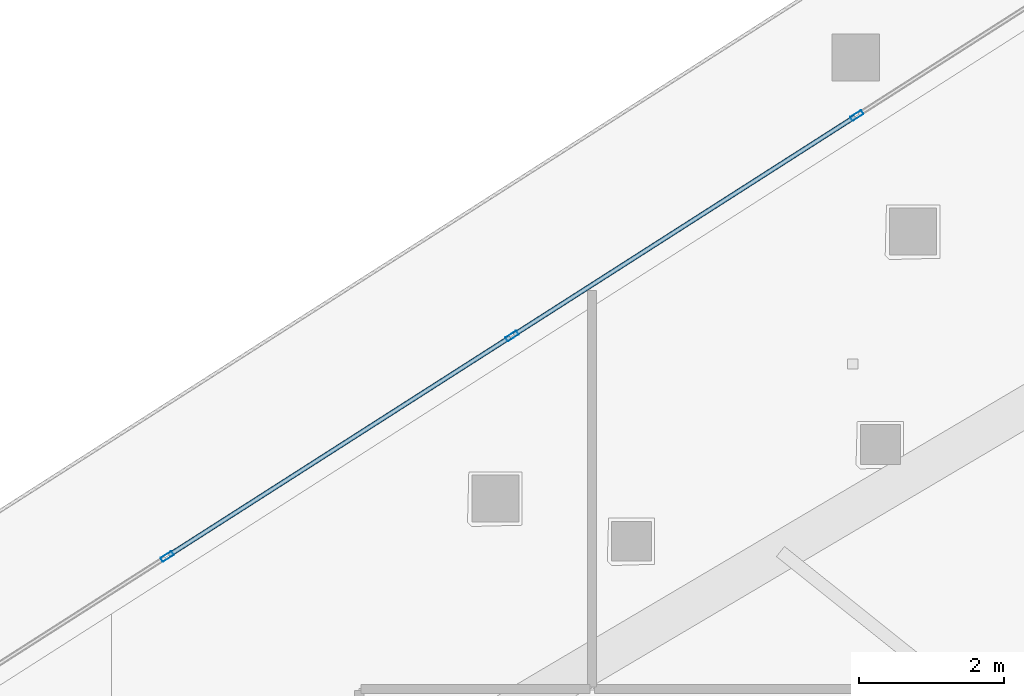
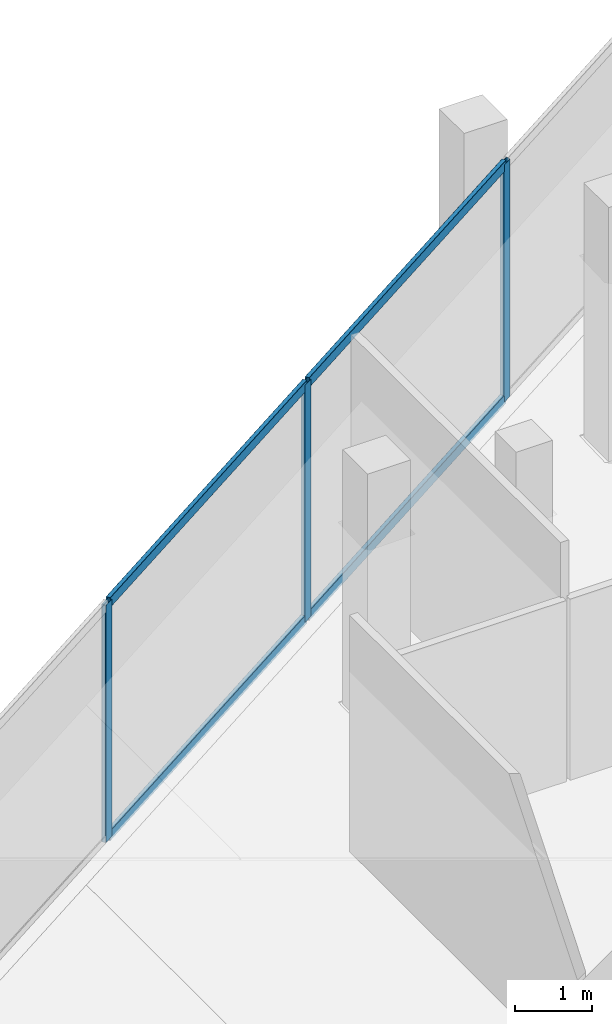
# One storey, part 17 of 36: 7 members, 1 element without a shape of its own.
"""IFC4 building model written with IfcOpenShell, lengths in metres."""

import ifcopenshell
import ifcopenshell.guid

model = None  # the IFC model being written
_history = None  # IfcOwnerHistory: only IFC2X3 demands one
_inside = {}  # id of a spatial element -> (the spatial element, [elements in it])
_under = {}  # id of a project, library or spatial element -> (it, [spatial elements below it])
_declared = {}  # id of a project -> (the project, [libraries it declares])
_typed = {}  # id of a type object -> (the type object, [elements of that type])
_made_of = {}  # id of a material, layer set ... -> (it, [elements and type objects made of it])


def new_model(schema):
    """Start an empty IFC model of exactly this schema.

    Asked for "IFC4X3", IfcOpenShell would pick the latest addendum, in which some entities
    have other attributes; the version numbers below select the first issue.
    IFC2X3 requires an IfcOwnerHistory on every rooted entity: one is made here for all.
    """
    global model, _history
    if schema == "IFC4X3":
        model = ifcopenshell.file(schema_version=(4, 3, 0, 0))
    else:
        model = ifcopenshell.file(schema=schema)
    _inside.clear()
    _under.clear()
    _declared.clear()
    _typed.clear()
    _made_of.clear()
    _history = None
    if model.schema == "IFC2X3":
        org = make("IfcOrganization", Name="unknown")
        user = make(
            "IfcPersonAndOrganization",
            ThePerson=make("IfcPerson", FamilyName="unknown"),
            TheOrganization=org,
        )
        app = make(
            "IfcApplication",
            ApplicationDeveloper=org,
            Version="unknown",
            ApplicationFullName="unknown",
            ApplicationIdentifier="unknown",
        )
        _history = make(
            "IfcOwnerHistory",
            OwningUser=user,
            OwningApplication=app,
            ChangeAction="ADDED",
            CreationDate=0,
        )
    return model


def make(cls, **values):
    """One entity of the class cls with the attributes given. An attribute that is None is left unset."""
    return model.create_entity(
        cls, **{name: value for name, value in values.items() if value is not None}
    )


def rooted(cls, **values):
    """An entity with a GlobalId (a new one), such as an element, a storey or a relation."""
    return make(cls, GlobalId=ifcopenshell.guid.new(), OwnerHistory=_history, **values)


def si_unit(unit_type, name, prefix=None):
    """IfcSIUnit, for example si_unit("LENGTHUNIT", "METRE", prefix="MILLI")."""
    return make("IfcSIUnit", UnitType=unit_type, Prefix=prefix, Name=name)


def assignment(units):
    """IfcUnitAssignment: the units of a project."""
    return None if units is None else make("IfcUnitAssignment", Units=units)


def point(xyz):
    """IfcCartesianPoint."""
    return None if xyz is None else make("IfcCartesianPoint", Coordinates=xyz)


def direction(xyz):
    """IfcDirection."""
    return None if xyz is None else make("IfcDirection", DirectionRatios=xyz)


def frame(location, z_axis=None, x_axis=None):
    """IfcAxis2Placement3D, a coordinate frame: its origin and axes. An axis left out is left unset."""
    return make(
        "IfcAxis2Placement3D",
        Location=point(location),
        Axis=direction(z_axis),
        RefDirection=direction(x_axis),
    )


def frame_2d(location, x_axis=None):
    """IfcAxis2Placement2D, a coordinate frame in the plane: its origin and x axis."""
    return make(
        "IfcAxis2Placement2D", Location=point(location), RefDirection=direction(x_axis)
    )


def origin():
    """The frame at (0, 0, 0) with its axes left unset."""
    return frame((0.0, 0.0, 0.0))


def origin_2d():
    """The frame at (0, 0) in the plane with its x axis left unset."""
    return frame_2d((0.0, 0.0))


def place(relative_to, where):
    """IfcLocalPlacement: puts the frame where relative to a parent placement (None: the world)."""
    return make(
        "IfcLocalPlacement", PlacementRelTo=relative_to, RelativePlacement=where
    )


def context(
    kind, dimensions, precision=None, world=None, true_north=None, identifier=None
):
    """IfcGeometricRepresentationContext, for example the 3D "Model" context."""
    return make(
        "IfcGeometricRepresentationContext",
        ContextIdentifier=identifier,
        ContextType=kind,
        CoordinateSpaceDimension=dimensions,
        Precision=precision,
        WorldCoordinateSystem=world,
        TrueNorth=true_north,
    )


def subcontext(parent, identifier, kind, view, scale=None):
    """IfcGeometricRepresentationSubContext, for example "Body" below "Model"."""
    return make(
        "IfcGeometricRepresentationSubContext",
        ContextIdentifier=identifier,
        ContextType=kind,
        ParentContext=parent,
        TargetScale=scale,
        TargetView=view,
    )


def project(units=None, contexts=None):
    """IfcProject with its units and contexts."""
    return rooted(
        "IfcProject",
        Name="project",
        RepresentationContexts=contexts,
        UnitsInContext=assignment(units),
    )


def spatial(cls, under=None, at=None, **own):
    """A site, building, storey or space (cls), placed at a placement, below another one or the project."""
    s = rooted(cls, ObjectPlacement=at, **own)
    if under is not None:
        _under.setdefault(under.id(), (under, []))[1].append(s)
    return s


def profile(cls, at=None, kind="AREA", **sizes):
    """A parametric profile (cls). Its sizes go by their IFC names, for example OverallWidth=200.0."""
    return make(cls, ProfileType=kind, Position=at, **sizes)


def hollow_rectangle(**sizes):
    """IfcRectangleHollowProfileDef."""
    return profile("IfcRectangleHollowProfileDef", **sizes)


def extrude(swept, where, along, depth):
    """IfcExtrudedAreaSolid: the profile swept, set in the frame where, extruded along a direction by depth."""
    return make(
        "IfcExtrudedAreaSolid",
        SweptArea=swept,
        Position=where,
        ExtrudedDirection=direction(along),
        Depth=depth,
    )


def shape(context_of_items, identifier, shape_type, items):
    """IfcShapeRepresentation: the items that make up one representation, for example the "Body"."""
    return make(
        "IfcShapeRepresentation",
        ContextOfItems=context_of_items,
        RepresentationIdentifier=identifier,
        RepresentationType=shape_type,
        Items=items,
    )


def material(Name=None, Category=None):
    """IfcMaterial."""
    return make("IfcMaterial", Name=Name, Category=Category)


def layer(
    of_material, thickness, ventilated=None, Name=None, Category=None, Priority=None
):
    """IfcMaterialLayer: one layer of a wall or slab, of a material (None: an air gap)."""
    return make(
        "IfcMaterialLayer",
        Material=of_material,
        LayerThickness=thickness,
        IsVentilated=ventilated,
        Name=Name,
        Category=Category,
        Priority=Priority,
    )


def layer_set(layers, Name=None):
    """IfcMaterialLayerSet."""
    return make("IfcMaterialLayerSet", MaterialLayers=layers, LayerSetName=Name)


def material_profile(
    of_material, cross_section, Name=None, Category=None, Priority=None
):
    """IfcMaterialProfile: a cross section and its material."""
    return make(
        "IfcMaterialProfile",
        Name=Name,
        Material=of_material,
        Profile=cross_section,
        Priority=Priority,
        Category=Category,
    )


def profile_set(profiles, Name=None, composite=None):
    """IfcMaterialProfileSet."""
    return make(
        "IfcMaterialProfileSet",
        Name=Name,
        MaterialProfiles=profiles,
        CompositeProfile=composite,
    )


def made_of(thing, what):
    """Note that an element or type object is made of a material, layer set ...; save() writes the relation."""
    if what is not None:
        _made_of.setdefault(what.id(), (what, []))[1].append(thing)
    return thing


def type_object(cls, material=None, **own):
    """A type object (cls), such as IfcWallType, which elements share."""
    return made_of(rooted(cls, **own), material)


def element(
    cls,
    number,
    at=None,
    inside=None,
    cuts=None,
    type_object=None,
    material=None,
    context=None,
    identifier="Body",
    shape_type=None,
    held_by="IfcProductDefinitionShape",
    body=None,
    shapes=None,
    **own,
):
    """One element of the class cls, such as IfcWall. Its Tag is "e" and its number.

    at: its placement. inside: the storey or other place that contains it. cuts: it is an
    opening in that element (IfcRelVoidsElement). A single representation is given by context,
    identifier, shape_type and body (its items); several are given by shapes. held_by: the class
    of the entity that holds the representations. save() writes the other relations.
    """
    e = rooted(cls, Tag="e%d" % number, ObjectPlacement=at, **own)
    if body is not None:
        shapes = [shape(context, identifier, shape_type, body)]
    if shapes is not None:
        e.Representation = make(held_by, Representations=shapes)
    if inside is not None:
        _inside.setdefault(inside.id(), (inside, []))[1].append(e)
    if cuts is not None:
        rooted(
            "IfcRelVoidsElement", RelatingBuildingElement=cuts, RelatedOpeningElement=e
        )
    if type_object is not None:
        _typed.setdefault(type_object.id(), (type_object, []))[1].append(e)
    return made_of(e, material)


def aggregate(whole, parts):
    """IfcRelAggregates: a whole, such as a stair, and the parts it consists of."""
    return rooted("IfcRelAggregates", RelatingObject=whole, RelatedObjects=parts)


def save(model, path):
    """Write the relations noted so far, then the file.

    IfcRelAggregates (storeys below a building ...), IfcRelContainedInSpatialStructure (elements
    in a storey), IfcRelDefinesByType, IfcRelAssociatesMaterial and IfcRelDeclares: one each for
    every whole, place, type object, material and project.
    """
    for whole, parts in _under.values():
        aggregate(whole, parts)
    for where, things in _inside.values():
        rooted(
            "IfcRelContainedInSpatialStructure",
            RelatedElements=things,
            RelatingStructure=where,
        )
    for kind, things in _typed.values():
        rooted("IfcRelDefinesByType", RelatedObjects=things, RelatingType=kind)
    for what, things in _made_of.values():
        rooted("IfcRelAssociatesMaterial", RelatedObjects=things, RelatingMaterial=what)
    for by, libraries in _declared.values():
        rooted("IfcRelDeclares", RelatingContext=by, RelatedDefinitions=libraries)
    model.write(path)


model = new_model("IFC4")

# Units and contexts
model_context = context("Model", 3, precision=1e-05, world=origin(), true_north=direction((0.0, 1.0)))
body_context = subcontext(model_context, "Body", "Model", "MODEL_VIEW")
ifc_project = project(units=[si_unit("LENGTHUNIT", "METRE"), si_unit("AREAUNIT", "SQUARE_METRE"), si_unit("VOLUMEUNIT", "CUBIC_METRE"), si_unit("PLANEANGLEUNIT", "RADIAN"), si_unit("MASSUNIT", "GRAM", prefix="KILO")], contexts=[model_context])

# Site, building, storey
site_placement = place(None, origin())
site = spatial("IfcSite", under=ifc_project, at=site_placement, CompositionType="ELEMENT")
building_placement = place(site_placement, origin())
building = spatial("IfcBuilding", under=site, at=building_placement, Name="Qorvath Tower", CompositionType="ELEMENT")
storey_placement = place(building_placement, frame((0.0, 0.0, 192.89990234375)))
storey = spatial("IfcBuildingStorey", under=building, at=storey_placement, Name="L44", CompositionType="ELEMENT", Elevation=192.89990234375)

# Curtain wall, members
ifc_material_1 = material(Name="Anodised aluminium and triple low-E glass", Category="aluminium")
ifc_layer = layer(ifc_material_1, 0.179931640625)
ifc_layer_set = layer_set([ifc_layer], Name="CW-SYS-3")
curtain_wall_type = type_object("IfcCurtainWallType", Name="CW-SYS-3", PredefinedType="NOTDEFINED", material=ifc_layer_set)
curtain_wall_placement = place(storey_placement, origin())
curtain_wall = element("IfcCurtainWall", 1, at=curtain_wall_placement, inside=storey, type_object=curtain_wall_type, Name="Curtain Wall CW-3 CW-T-L44-16.1", PredefinedType="NOTDEFINED")
ifc_material_2 = material(Name="Anodised aluminium 6063-T6", Category="aluminium")
ifc_material_profile_1 = material_profile(ifc_material_2, hollow_rectangle(XDim=0.06494140625, YDim=0.179931640625, WallThickness=0.00341796875, InnerFilletRadius=0.00341796875, OuterFilletRadius=0.007080078125, at=origin_2d()), Name="CWM 180x65")
ifc_profile_set_1 = profile_set([ifc_material_profile_1], Name="Anodised aluminium 6063-T6")
member_type_1 = type_object("IfcMemberType", Name="CWM-180", PredefinedType="MULLION", material=ifc_profile_set_1)
member_1_placement = place(storey_placement, frame((-31.000244140625, 18.65869140625, 0.0), z_axis=(0.0, 0.0, 1.0), x_axis=(0.538533623725, -0.842604020948, 0.0)))
member_1 = element("IfcMember", 2, at=member_1_placement, type_object=member_type_1, Name="CW-3 mullion 4", PredefinedType="MULLION", context=body_context, shape_type="SweptSolid", body=[
    extrude(hollow_rectangle(XDim=0.06494140625, YDim=0.179931640625, WallThickness=0.00341796875, InnerFilletRadius=0.00341796875, OuterFilletRadius=0.007080078125, at=origin_2d()), origin(), (0.0, 0.0, 1.0), 3.780029296875),
])
member_2_placement = place(storey_placement, frame((-35.752685546875, 15.62109375, 0.0), z_axis=(0.0, 0.0, 1.0), x_axis=(0.538533623725, -0.842604020948, 0.0)))
member_2 = element("IfcMember", 3, at=member_2_placement, type_object=member_type_1, Name="CW-3 mullion 5", PredefinedType="MULLION", context=body_context, shape_type="SweptSolid", body=[
    extrude(hollow_rectangle(XDim=0.06494140625, YDim=0.179931640625, WallThickness=0.00341796875, InnerFilletRadius=0.00341796875, OuterFilletRadius=0.007080078125, at=origin_2d()), origin(), (0.0, 0.0, 1.0), 3.780029296875),
])
member_3_placement = place(storey_placement, frame((-40.50537109375, 12.583740234375, 0.0), z_axis=(0.0, 0.0, 1.0), x_axis=(0.538533623725, -0.842604020948, 0.0)))
member_3 = element("IfcMember", 4, at=member_3_placement, type_object=member_type_1, Name="CW-3 mullion 6", PredefinedType="MULLION", context=body_context, shape_type="SweptSolid", body=[
    extrude(hollow_rectangle(XDim=0.06494140625, YDim=0.179931640625, WallThickness=0.00341796875, InnerFilletRadius=0.00341796875, OuterFilletRadius=0.007080078125, at=origin_2d()), origin(), (0.0, 0.0, 1.0), 3.780029296875),
])
ifc_material_3 = material(Name="Anodised aluminium 6063-T6", Category="aluminium")
ifc_material_profile_2 = material_profile(ifc_material_3, hollow_rectangle(XDim=0.06494140625, YDim=0.159912109375, WallThickness=0.00341796875, InnerFilletRadius=0.00341796875, OuterFilletRadius=0.007080078125, at=origin_2d()), Name="CWT 160x65")
ifc_profile_set_2 = profile_set([ifc_material_profile_2], Name="Anodised aluminium 6063-T6")
member_type_2 = type_object("IfcMemberType", Name="CWT-160", PredefinedType="USERDEFINED", material=ifc_profile_set_2)
member_4_placement = place(storey_placement, frame((-31.027587890625, 18.64111328125, 0.032470703125), z_axis=(-0.842606844645, -0.538529205667, 0.0), x_axis=(0.538529205667, -0.842606844645, 0.0)))
member_4 = element("IfcMember", 5, at=member_4_placement, type_object=member_type_2, Name="CW-3 transom 4.1", ObjectType="TRANSOM", PredefinedType="USERDEFINED", context=body_context, shape_type="SweptSolid", body=[
    extrude(hollow_rectangle(XDim=0.06494140625, YDim=0.159912109375, WallThickness=0.00341796875, InnerFilletRadius=0.00341796875, OuterFilletRadius=0.007080078125, at=origin_2d()), origin(), (0.0, 0.0, 1.0), 5.5751953125),
])
member_5_placement = place(storey_placement, frame((-31.027587890625, 18.64111328125, 3.74755859375), z_axis=(-0.842606844645, -0.538529205667, 0.0), x_axis=(0.538529205667, -0.842606844645, 0.0)))
member_5 = element("IfcMember", 6, at=member_5_placement, type_object=member_type_2, Name="CW-3 transom 4.2", ObjectType="TRANSOM", PredefinedType="USERDEFINED", context=body_context, shape_type="SweptSolid", body=[
    extrude(hollow_rectangle(XDim=0.06494140625, YDim=0.159912109375, WallThickness=0.00341796875, InnerFilletRadius=0.00341796875, OuterFilletRadius=0.007080078125, at=origin_2d()), origin(), (0.0, 0.0, 1.0), 5.5751953125),
])
member_6_placement = place(storey_placement, frame((-35.7802734375, 15.603759765625, 0.032470703125), z_axis=(-0.842594144247, -0.538549076761, 0.0), x_axis=(0.538549076761, -0.842594144247, 0.0)))
member_6 = element("IfcMember", 7, at=member_6_placement, type_object=member_type_2, Name="CW-3 transom 5.1", ObjectType="TRANSOM", PredefinedType="USERDEFINED", context=body_context, shape_type="SweptSolid", body=[
    extrude(hollow_rectangle(XDim=0.06494140625, YDim=0.159912109375, WallThickness=0.00341796875, InnerFilletRadius=0.00341796875, OuterFilletRadius=0.007080078125, at=origin_2d()), origin(), (0.0, 0.0, 1.0), 5.574951171875),
])
member_7_placement = place(storey_placement, frame((-35.7802734375, 15.603759765625, 3.74755859375), z_axis=(-0.842594144247, -0.538549076761, 0.0), x_axis=(0.538549076761, -0.842594144247, 0.0)))
member_7 = element("IfcMember", 8, at=member_7_placement, type_object=member_type_2, Name="CW-3 transom 5.2", ObjectType="TRANSOM", PredefinedType="USERDEFINED", context=body_context, shape_type="SweptSolid", body=[
    extrude(hollow_rectangle(XDim=0.06494140625, YDim=0.159912109375, WallThickness=0.00341796875, InnerFilletRadius=0.00341796875, OuterFilletRadius=0.007080078125, at=origin_2d()), origin(), (0.0, 0.0, 1.0), 5.574951171875),
])
aggregate(curtain_wall, [member_1, member_2, member_3, member_4, member_5, member_6, member_7])

save(model, "model.ifc")
